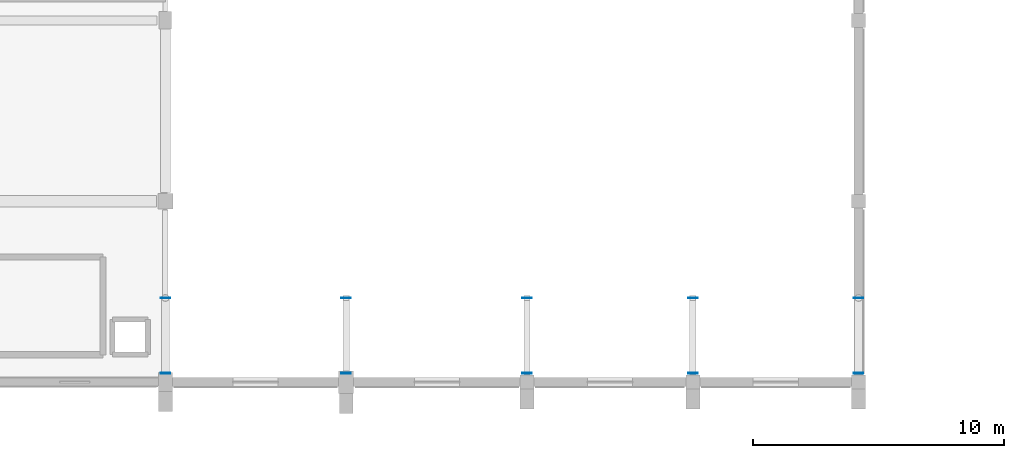
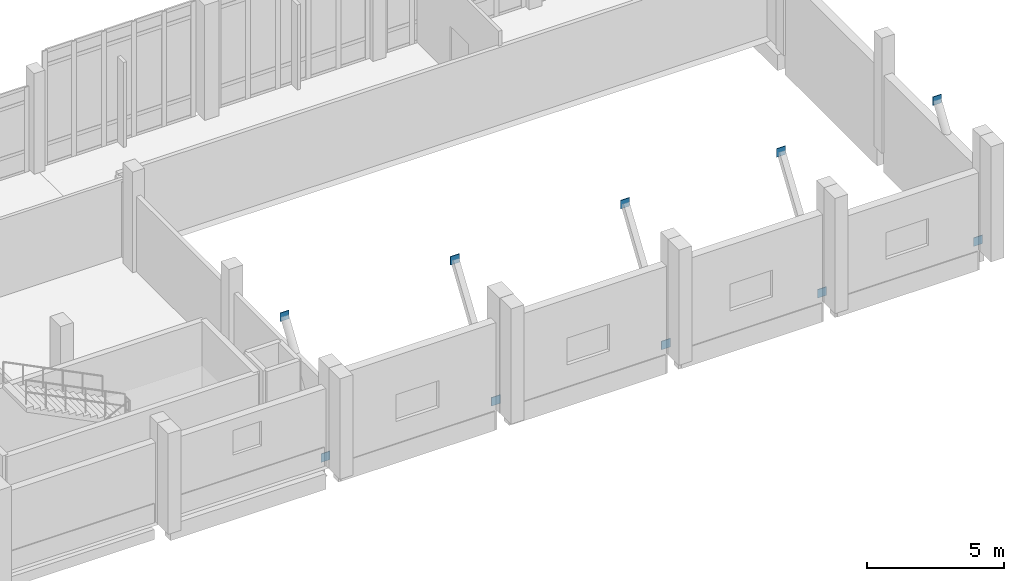
# One storey, part 110 of 134: 10 plates.
"""IFC4 building model written with IfcOpenShell, lengths in metres."""

from ifc_helpers import new_model, si_unit, direction, frame, origin, origin_2d, place, context, subcontext, project, spatial, rectangle, extrude, material, layer, layer_set, type_object, element, save


model = new_model("IFC4")

# Units and contexts
model_context = context("Model", 3, precision=1e-05, world=origin(), true_north=direction((0.0, 1.0)))
body_context = subcontext(model_context, "Body", "Model", "MODEL_VIEW")
ifc_project = project(units=[si_unit("LENGTHUNIT", "METRE"), si_unit("AREAUNIT", "SQUARE_METRE"), si_unit("VOLUMEUNIT", "CUBIC_METRE"), si_unit("PLANEANGLEUNIT", "RADIAN"), si_unit("MASSUNIT", "GRAM", prefix="KILO")], contexts=[model_context])

# Site, building, storey
site_placement = place(None, origin())
site = spatial("IfcSite", under=ifc_project, at=site_placement, CompositionType="ELEMENT")
building_placement = place(site_placement, origin())
building = spatial("IfcBuilding", under=site, at=building_placement, Name="Kalluvel Institute of Natural Sciences", CompositionType="ELEMENT")
storey_placement = place(building_placement, frame((0.0, 0.0, 5.39990234375)))
storey = spatial("IfcBuildingStorey", under=building, at=storey_placement, Name="L01", CompositionType="ELEMENT", Elevation=5.39990234375)

# Plates
ifc_material = material(Name="Steel E350 Grade 350", Category="steel")
ifc_layer = layer(ifc_material, 0.028076171875)
ifc_layer_set = layer_set([ifc_layer], Name="Steel E350 Grade 350")
plate_type = type_object("IfcPlateType", Name="PL-GUS-380x28", PredefinedType="USERDEFINED", material=ifc_layer_set)
for number, where, z_axis, x_axis, name in (
    (1, (114.800048828125, 14.35009765625, -0.18994140625), (0.0, 0.0, 1.0), (1.0, 0.0, 0.0), "Lecture theatre portal knee strut 1 sealed end cap plate BOT"),
    (2, (114.800048828125, 17.35009765625, 4.2900390625), (0.0, 0.0, 1.0), (1.0, 0.0, 0.0), "Lecture theatre portal knee strut 1 sealed end cap plate TOP"),
    (3, (122.0, 14.35009765625, -0.18994140625), (0.0, 0.0, 1.0), (1.0, 0.0, 0.0), "Lecture theatre portal knee strut 2 sealed end cap plate BOT"),
    (4, (122.0, 17.35009765625, 4.2900390625), (0.0, 0.0, 1.0), (1.0, 0.0, 0.0), "Lecture theatre portal knee strut 2 sealed end cap plate TOP"),
    (5, (129.199951171875, 14.35009765625, -0.18994140625), (0.0, 0.0, 1.0), (1.0, 0.0, 0.0), "Lecture theatre portal knee strut 3 sealed end cap plate BOT"),
    (6, (129.199951171875, 17.35009765625, 4.2900390625), (0.0, 0.0, 1.0), (1.0, 0.0, 0.0), "Lecture theatre portal knee strut 3 sealed end cap plate TOP"),
    (7, (135.800048828125, 14.35009765625, -0.18994140625), (0.0, 0.0, 1.0), (1.0, 0.0, 0.0), "Lecture theatre portal knee strut 4 sealed end cap plate BOT"),
    (8, (135.800048828125, 17.35009765625, 4.2900390625), (0.0, 0.0, 1.0), (1.0, 0.0, 0.0), "Lecture theatre portal knee strut 4 sealed end cap plate TOP"),
    (9, (142.39990234375, 14.35009765625, -0.18994140625), (0.0, 0.0, 1.0), (1.0, 0.0, 0.0), "Lecture theatre portal knee strut 5 sealed end cap plate BOT"),
    (10, (142.39990234375, 17.35009765625, 4.2900390625), (0.0, 0.0, 1.0), (1.0, 0.0, 0.0), "Lecture theatre portal knee strut 5 sealed end cap plate TOP"),
):
    element("IfcPlate", number, at=place(storey_placement, frame(where, z_axis=z_axis, x_axis=x_axis)), inside=storey, type_object=plate_type, Name=name, ObjectType="GUSSET PLATE", PredefinedType="USERDEFINED", context=body_context, shape_type="SweptSolid", body=[
        extrude(rectangle(XDim=0.3798828125, YDim=0.028076171875, at=origin_2d()), origin(), (0.0, 0.0, 1.0), 0.3798828125),
    ])

save(model, "model.ifc")
